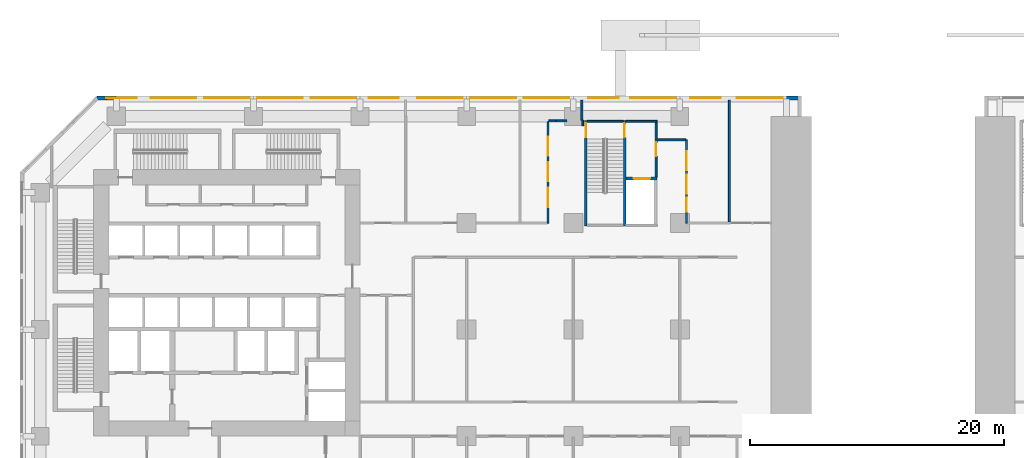
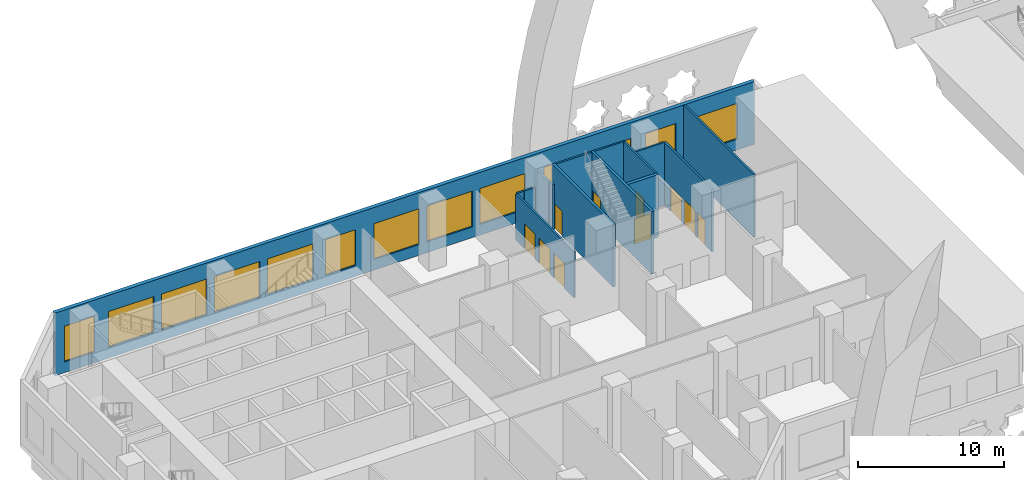
# One storey, part 11 of 19: 15 walls, 13 windows, 10 doors, 23 openings.
"""IFC4 building model written with IfcOpenShell, lengths in metres."""

from ifc_helpers import new_model, si_unit, direction, frame, frame_2d, origin, place, context, subcontext, project, spatial, rectangle, extrude, material, layer, layer_set, type_object, element, fill, save


model = new_model("IFC4")

# Units and contexts
model_context = context("Model", 3, precision=1e-05, world=origin(), true_north=direction((0.0, 1.0)))
body_context = subcontext(model_context, "Body", "Model", "MODEL_VIEW")
ifc_project = project(units=[si_unit("LENGTHUNIT", "METRE"), si_unit("AREAUNIT", "SQUARE_METRE"), si_unit("VOLUMEUNIT", "CUBIC_METRE"), si_unit("PLANEANGLEUNIT", "RADIAN"), si_unit("MASSUNIT", "GRAM", prefix="KILO")], contexts=[model_context])

# Site, building, storey
site_placement = place(None, origin())
site = spatial("IfcSite", under=ifc_project, at=site_placement, CompositionType="ELEMENT")
building_placement = place(site_placement, origin())
building = spatial("IfcBuilding", under=site, at=building_placement, Name="Kawkab Arch Medical Tower", CompositionType="ELEMENT")
storey_placement = place(building_placement, frame((0.0, 0.0, 12.60009765625)))
storey = spatial("IfcBuildingStorey", under=building, at=storey_placement, Name="L03", CompositionType="ELEMENT", Elevation=12.60009765625)

# Wall, opening, door
ifc_material_1 = material(Name="Gypsum board on steel studs", Category="steel")
ifc_layer_1 = layer(ifc_material_1, 0.14990234375)
ifc_layer_set_1 = layer_set([ifc_layer_1], Name="Gypsum board on steel studs")
wall_type_1 = type_object("IfcWallType", Name="Core room partition 150", PredefinedType="PARTITIONING", material=ifc_layer_set_1)
wall_1_placement = place(storey_placement, frame((48.52490234375, -4.77490234375, 0.0), z_axis=(0.0, 0.0, 1.0), x_axis=(0.0, 1.0, 0.0)))
wall_1 = element("IfcWall", 1, at=wall_1_placement, inside=storey, type_object=wall_type_1, Name="L03 core room partition", PredefinedType="PARTITIONING", context=body_context, shape_type="SweptSolid", body=[
    extrude(rectangle(XDim=4.324951171875, YDim=0.14990234375, at=frame_2d((2.16259765625, 0.0))), origin(), (0.0, 0.0, 1.0), 5.25),
])
opening_1_placement = place(wall_1_placement, frame((1.625, 0.0, 0.0)))
opening_1 = element("IfcOpeningElement", 2, at=opening_1_placement, cuts=wall_1, Name="Opening FD", PredefinedType="OPENING", context=body_context, shape_type="SweptSolid", body=[
    extrude(rectangle(XDim=1.10009765625, YDim=2.10009765625, at=frame_2d((0.550048828125, 1.050048828125))), frame((0.0, 0.0849609375, 0.0), z_axis=(0.0, -1.0, 0.0), x_axis=(1.0, 0.0, 0.0)), (0.0, 0.0, 1.0), 0.169921875),
])
ifc_material_2 = material(Name="Hollow metal fire door leaf")
door_type_1 = type_object("IfcDoorType", Name="Firefighting lobby door 1100", OperationType="SINGLE_SWING_LEFT", PredefinedType="DOOR", material=ifc_material_2)
door_1_placement = place(opening_1_placement, origin())
door_1 = element("IfcDoor", 3, at=door_1_placement, inside=storey, type_object=door_type_1, Name="L03 Service lift lobby door SV1", OperationType="SINGLE_SWING_LEFT", OverallHeight=2.10009765625, OverallWidth=1.10009765625, PredefinedType="DOOR", context=body_context, shape_type="SweptSolid", body=[
    extrude(rectangle(XDim=1.10009765625, YDim=2.10009765625, at=frame_2d((0.550048828125, 1.050048828125))), frame((0.0, 0.02490234375, 0.0), z_axis=(0.0, -1.0, 0.0), x_axis=(1.0, 0.0, 0.0)), (0.0, 0.0, 1.0), 0.050048828125),
])
fill(opening_1, door_1)

ifc_material_3 = material(Name="Concrete C60/75", Category="concrete")
ifc_layer_2 = layer(ifc_material_3, 0.25)
ifc_layer_set_2 = layer_set([ifc_layer_2], Name="Concrete C60/75")
wall_type_2 = type_object("IfcWallType", Name="Core shear wall 250 C60/75", PredefinedType="SHEAR", material=ifc_layer_set_2)
wall_2_placement = place(storey_placement, frame((46.14990234375, -4.89990234375, 0.0), z_axis=(0.0, 0.0, 1.0), x_axis=(1.0, 0.0, 0.0)))
wall_2 = element("IfcWall", 4, at=wall_2_placement, inside=storey, type_object=wall_type_2, Name="L03 core shear wall", PredefinedType="SHEAR", context=body_context, shape_type="SweptSolid", body=[
    extrude(rectangle(XDim=2.4501953125, YDim=0.25, at=frame_2d((1.22509765625, 0.0))), origin(), (0.0, 0.0, 1.0), 5.25),
])
opening_2_placement = place(wall_2_placement, frame((0.60009765625, 0.0, 0.0)))
opening_2 = element("IfcOpeningElement", 5, at=opening_2_placement, cuts=wall_2, Name="Opening LD2", PredefinedType="OPENING", context=body_context, shape_type="SweptSolid", body=[
    extrude(rectangle(XDim=1.300048828125, YDim=2.10009765625, at=frame_2d((0.64990234375, 1.050048828125))), frame((0.0, 0.135009765625, 0.0), z_axis=(0.0, -1.0, 0.0), x_axis=(1.0, 0.0, 0.0)), (0.0, 0.0, 1.0), 0.27001953125),
])
ifc_material_4 = material(Name="Stainless steel lift door leaf", Category="steel")
door_type_2 = type_object("IfcDoorType", Name="Lift landing door 1300", OperationType="DOUBLE_DOOR_SLIDING", PredefinedType="DOOR", material=ifc_material_4)
door_2_placement = place(opening_2_placement, origin())
door_2 = element("IfcDoor", 6, at=door_2_placement, inside=storey, type_object=door_type_2, Name="L03 Lift landing door SV1", OperationType="DOUBLE_DOOR_SLIDING", OverallHeight=2.10009765625, OverallWidth=1.300048828125, PredefinedType="DOOR", context=body_context, shape_type="SweptSolid", body=[
    extrude(rectangle(XDim=1.300048828125, YDim=2.10009765625, at=frame_2d((0.64990234375, 1.050048828125))), frame((0.0, 0.02490234375, 0.0), z_axis=(0.0, -1.0, 0.0), x_axis=(1.0, 0.0, 0.0)), (0.0, 0.0, 1.0), 0.050048828125),
])
fill(opening_2, door_2)

# Walls
ifc_material_5 = material(Name="Gypsum board partition on steel studs, mineral wool", Category="steel")
ifc_layer_3 = layer(ifc_material_5, 0.14990234375)
ifc_layer_set_3 = layer_set([ifc_layer_3], Name="Gypsum board partition on steel studs, mineral wool")
wall_type_3 = type_object("IfcWallType", Name="Partition 150", PredefinedType="PARTITIONING", material=ifc_layer_set_3)
wall_3_placement = place(storey_placement, frame((48.60009765625, -1.85009765625, 0.0), z_axis=(0.0, 0.0, 1.0), x_axis=(1.0, 0.0, 0.0)))
element("IfcWall", 7, at=wall_3_placement, inside=storey, type_object=wall_type_3, Name="Partition 150 w043", PredefinedType="PARTITIONING", context=body_context, shape_type="SweptSolid", body=[
    extrude(rectangle(XDim=2.2490234375, YDim=0.14990234375, at=frame_2d((1.12451171875, 0.0))), origin(), (0.0, 0.0, 1.0), 5.25),
])
wall_4_placement = place(storey_placement, frame((40.075927734375, -0.35009765625, 0.0), z_axis=(0.0, 0.0, 1.0), x_axis=(1.0, 0.0, 0.0)))
element("IfcWall", 8, at=wall_4_placement, inside=storey, type_object=wall_type_3, Name="Partition 150 w044", PredefinedType="PARTITIONING", context=body_context, shape_type="SweptSolid", body=[
    extrude(rectangle(XDim=0.524169921875, YDim=0.14990234375, at=frame_2d((0.26220703125, 0.0))), origin(), (0.0, 0.0, 1.0), 3.849853515625),
])
wall_5_placement = place(storey_placement, frame((40.6201171875, -0.35009765625, 0.0), z_axis=(0.0, 0.0, 1.0), x_axis=(1.0, 0.0, 0.0)))
element("IfcWall", 9, at=wall_5_placement, inside=storey, type_object=wall_type_3, Name="Partition 150 w045", PredefinedType="PARTITIONING", context=body_context, shape_type="SweptSolid", body=[
    extrude(rectangle(XDim=0.867919921875, YDim=0.14990234375, at=frame_2d((0.43408203125, 0.0))), origin(), (0.0, 0.0, 1.0), 3.849853515625),
])

# Wall, openings, doors
wall_6_placement = place(storey_placement, frame((40.007080078125, -8.39990234375, 0.0), z_axis=(0.0, 0.0, 1.0), x_axis=(0.0, 1.0, 0.0)))
wall_6 = element("IfcWall", 10, at=wall_6_placement, inside=storey, type_object=wall_type_3, Name="Partition 150 w067", PredefinedType="PARTITIONING", context=body_context, shape_type="SweptSolid", body=[
    extrude(rectangle(XDim=7.974853515625, YDim=0.14990234375, at=frame_2d((3.9873046875, 0.0))), origin(), (0.0, 0.0, 1.0), 3.849853515625),
])
opening_3_placement = place(wall_6_placement, frame((1.261962890625, 0.0, 0.0)))
opening_3 = element("IfcOpeningElement", 11, at=opening_3_placement, cuts=wall_6, Name="Opening P03-003", PredefinedType="OPENING", context=body_context, shape_type="SweptSolid", body=[
    extrude(rectangle(XDim=1.5, YDim=2.10009765625, at=frame_2d((0.75, 1.050048828125))), frame((0.0, 0.0849609375, 0.0), z_axis=(0.0, -1.0, 0.0), x_axis=(1.0, 0.0, 0.0)), (0.0, 0.0, 1.0), 0.169921875),
])
opening_4_placement = place(wall_6_placement, frame((3.27392578125, 0.0, 0.0)))
opening_4 = element("IfcOpeningElement", 12, at=opening_4_placement, cuts=wall_6, Name="Opening P03-004", PredefinedType="OPENING", context=body_context, shape_type="SweptSolid", body=[
    extrude(rectangle(XDim=1.5, YDim=2.10009765625, at=frame_2d((0.75, 1.050048828125))), frame((0.0, 0.0849609375, 0.0), z_axis=(0.0, -1.0, 0.0), x_axis=(1.0, 0.0, 0.0)), (0.0, 0.0, 1.0), 0.169921875),
])
opening_5_placement = place(wall_6_placement, frame((5.285888671875, 0.0, 0.0)))
opening_5 = element("IfcOpeningElement", 13, at=opening_5_placement, cuts=wall_6, Name="Opening P03-005", PredefinedType="OPENING", context=body_context, shape_type="SweptSolid", body=[
    extrude(rectangle(XDim=1.5, YDim=2.10009765625, at=frame_2d((0.75, 1.050048828125))), frame((0.0, 0.0849609375, 0.0), z_axis=(0.0, -1.0, 0.0), x_axis=(1.0, 0.0, 0.0)), (0.0, 0.0, 1.0), 0.169921875),
])
ifc_material_6 = material(Name="Hollow metal door leaf")
door_type_3 = type_object("IfcDoorType", Name="Double door 1500x2100 FD30S", OperationType="NOTDEFINED", PredefinedType="DOOR", material=ifc_material_6)
door_3_placement = place(opening_3_placement, origin())
door_3 = element("IfcDoor", 14, at=door_3_placement, inside=storey, type_object=door_type_3, Name="Door P03-003", OperationType="DOUBLE_DOOR_SINGLE_SWING", OverallHeight=2.10009765625, OverallWidth=1.5, PredefinedType="DOOR", context=body_context, shape_type="SweptSolid", body=[
    extrude(rectangle(XDim=1.5, YDim=2.10009765625, at=frame_2d((0.75, 1.050048828125))), frame((0.0, 0.02490234375, 0.0), z_axis=(0.0, -1.0, 0.0), x_axis=(1.0, 0.0, 0.0)), (0.0, 0.0, 1.0), 0.050048828125),
])
fill(opening_3, door_3)
door_4_placement = place(opening_4_placement, origin())
door_4 = element("IfcDoor", 15, at=door_4_placement, inside=storey, type_object=door_type_3, Name="Door P03-004", OperationType="DOUBLE_DOOR_SINGLE_SWING", OverallHeight=2.10009765625, OverallWidth=1.5, PredefinedType="DOOR", context=body_context, shape_type="SweptSolid", body=[
    extrude(rectangle(XDim=1.5, YDim=2.10009765625, at=frame_2d((0.75, 1.050048828125))), frame((0.0, 0.02490234375, 0.0), z_axis=(0.0, -1.0, 0.0), x_axis=(1.0, 0.0, 0.0)), (0.0, 0.0, 1.0), 0.050048828125),
])
fill(opening_4, door_4)
door_5_placement = place(opening_5_placement, origin())
door_5 = element("IfcDoor", 16, at=door_5_placement, inside=storey, type_object=door_type_3, Name="Door P03-005", OperationType="DOUBLE_DOOR_SINGLE_SWING", OverallHeight=2.10009765625, OverallWidth=1.5, PredefinedType="DOOR", context=body_context, shape_type="SweptSolid", body=[
    extrude(rectangle(XDim=1.5, YDim=2.10009765625, at=frame_2d((0.75, 1.050048828125))), frame((0.0, 0.02490234375, 0.0), z_axis=(0.0, -1.0, 0.0), x_axis=(1.0, 0.0, 0.0)), (0.0, 0.0, 1.0), 0.050048828125),
])
fill(opening_5, door_5)

# Walls
wall_7_placement = place(storey_placement, frame((42.679931640625, -0.300048828125, 0.0), z_axis=(0.0, 0.0, 1.0), x_axis=(0.0, 1.0, 0.0)))
element("IfcWall", 17, at=wall_7_placement, inside=storey, type_object=wall_type_3, Name="Partition 150 w070", PredefinedType="PARTITIONING", context=body_context, shape_type="SweptSolid", body=[
    extrude(rectangle(XDim=1.580078125, YDim=0.14990234375, at=frame_2d((0.7900390625, 0.0))), origin(), (0.0, 0.0, 1.0), 3.849853515625),
])
wall_8_placement = place(storey_placement, frame((42.75, -0.75, 0.0), z_axis=(0.0, 0.0, 1.0), x_axis=(0.0, 1.0, 0.0)))
element("IfcWall", 18, at=wall_8_placement, inside=storey, type_object=wall_type_3, Name="Partition 150 w071", PredefinedType="PARTITIONING", context=body_context, shape_type="SweptSolid", body=[
    extrude(rectangle(XDim=0.449951171875, YDim=0.14990234375, at=frame_2d((0.22509765625, 0.0))), origin(), (0.0, 0.0, 1.0), 3.849853515625),
])

# Wall, openings, doors
wall_9_placement = place(storey_placement, frame((50.925048828125, -8.39990234375, 0.0), z_axis=(0.0, 0.0, 1.0), x_axis=(0.0, 1.0, 0.0)))
wall_9 = element("IfcWall", 19, at=wall_9_placement, inside=storey, type_object=wall_type_3, Name="Partition 150 w074", PredefinedType="PARTITIONING", context=body_context, shape_type="SweptSolid", body=[
    extrude(rectangle(XDim=6.5478515625, YDim=0.14990234375, at=frame_2d((3.27392578125, 0.0))), origin(), (0.0, 0.0, 1.0), 5.25),
])
opening_6_placement = place(wall_9_placement, frame((4.160888671875, 0.0, 0.0)))
opening_6 = element("IfcOpeningElement", 20, at=opening_6_placement, cuts=wall_9, Name="Opening P03-006", PredefinedType="OPENING", context=body_context, shape_type="SweptSolid", body=[
    extrude(rectangle(XDim=1.5, YDim=2.10009765625, at=frame_2d((0.75, 1.050048828125))), frame((0.0, 0.0849609375, 0.0), z_axis=(0.0, -1.0, 0.0), x_axis=(1.0, 0.0, 0.0)), (0.0, 0.0, 1.0), 0.169921875),
])
opening_7_placement = place(wall_9_placement, frame((2.323974609375, 0.0, 0.0)))
opening_7 = element("IfcOpeningElement", 21, at=opening_7_placement, cuts=wall_9, Name="Opening P03-007", PredefinedType="OPENING", context=body_context, shape_type="SweptSolid", body=[
    extrude(rectangle(XDim=1.5, YDim=2.10009765625, at=frame_2d((0.75, 1.050048828125))), frame((0.0, 0.0849609375, 0.0), z_axis=(0.0, -1.0, 0.0), x_axis=(1.0, 0.0, 0.0)), (0.0, 0.0, 1.0), 0.169921875),
])
opening_8_placement = place(wall_9_placement, frame((0.886962890625, 0.0, 0.0)))
opening_8 = element("IfcOpeningElement", 22, at=opening_8_placement, cuts=wall_9, Name="Opening P03-001", PredefinedType="OPENING", context=body_context, shape_type="SweptSolid", body=[
    extrude(rectangle(XDim=1.10009765625, YDim=2.10009765625, at=frame_2d((0.550048828125, 1.050048828125))), frame((0.0, 0.0849609375, 0.0), z_axis=(0.0, -1.0, 0.0), x_axis=(1.0, 0.0, 0.0)), (0.0, 0.0, 1.0), 0.169921875),
])
ifc_material_7 = material(Name="Hollow metal door leaf")
door_type_4 = type_object("IfcDoorType", Name="Double door 1100x2100 FD30S", OperationType="NOTDEFINED", PredefinedType="DOOR", material=ifc_material_7)
door_6_placement = place(opening_8_placement, origin())
door_6 = element("IfcDoor", 23, at=door_6_placement, inside=storey, type_object=door_type_4, Name="Door P03-001", OperationType="DOUBLE_DOOR_SINGLE_SWING", OverallHeight=2.10009765625, OverallWidth=1.10009765625, PredefinedType="DOOR", context=body_context, shape_type="SweptSolid", body=[
    extrude(rectangle(XDim=1.10009765625, YDim=2.10009765625, at=frame_2d((0.550048828125, 1.050048828125))), frame((0.0, 0.02490234375, 0.0), z_axis=(0.0, -1.0, 0.0), x_axis=(1.0, 0.0, 0.0)), (0.0, 0.0, 1.0), 0.050048828125),
])
fill(opening_8, door_6)
door_7_placement = place(opening_6_placement, origin())
door_7 = element("IfcDoor", 24, at=door_7_placement, inside=storey, type_object=door_type_3, Name="Door P03-006", OperationType="DOUBLE_DOOR_SINGLE_SWING", OverallHeight=2.10009765625, OverallWidth=1.5, PredefinedType="DOOR", context=body_context, shape_type="SweptSolid", body=[
    extrude(rectangle(XDim=1.5, YDim=2.10009765625, at=frame_2d((0.75, 1.050048828125))), frame((0.0, 0.02490234375, 0.0), z_axis=(0.0, -1.0, 0.0), x_axis=(1.0, 0.0, 0.0)), (0.0, 0.0, 1.0), 0.050048828125),
])
fill(opening_6, door_7)
door_8_placement = place(opening_7_placement, origin())
door_8 = element("IfcDoor", 25, at=door_8_placement, inside=storey, type_object=door_type_3, Name="Door P03-007", OperationType="DOUBLE_DOOR_SINGLE_SWING", OverallHeight=2.10009765625, OverallWidth=1.5, PredefinedType="DOOR", context=body_context, shape_type="SweptSolid", body=[
    extrude(rectangle(XDim=1.5, YDim=2.10009765625, at=frame_2d((0.75, 1.050048828125))), frame((0.0, 0.02490234375, 0.0), z_axis=(0.0, -1.0, 0.0), x_axis=(1.0, 0.0, 0.0)), (0.0, 0.0, 1.0), 0.050048828125),
])
fill(opening_7, door_8)

# Wall
wall_10_placement = place(storey_placement, frame((54.300048828125, -8.324951171875, 0.0), z_axis=(0.0, 0.0, 1.0), x_axis=(0.0, 1.0, 0.0)))
element("IfcWall", 26, at=wall_10_placement, inside=storey, type_object=wall_type_3, Name="Partition 150 w075", PredefinedType="PARTITIONING", context=body_context, shape_type="SweptSolid", body=[
    extrude(rectangle(XDim=9.60498046875, YDim=0.14990234375, at=frame_2d((4.802490234375, 0.0))), origin(), (0.0, 0.0, 1.0), 5.25),
])

# Wall, openings, windows
ifc_material_8 = material(Name="Bronze clad insulated wall panel")
ifc_layer_4 = layer(ifc_material_8, 0.300048828125)
ifc_layer_set_4 = layer_set([ifc_layer_4], Name="Bronze clad insulated wall panel")
wall_type_4 = type_object("IfcWallType", Name="Podium external wall 300", PredefinedType="SOLIDWALL", material=ifc_layer_set_4)
wall_11_placement = place(storey_placement, frame((59.85009765625, 1.449951171875, 0.0), z_axis=(0.0, 0.0, 1.0), x_axis=(-1.0, 0.0, 0.0)))
wall_11 = element("IfcWall", 27, at=wall_11_placement, inside=storey, type_object=wall_type_4, Name="Podium external wall L03 R05", PredefinedType="SOLIDWALL", context=body_context, shape_type="SweptSolid", body=[
    extrude(rectangle(XDim=55.387939453125, YDim=0.300048828125, at=frame_2d((27.69384765625, 0.0))), origin(), (0.0, 0.0, 1.0), 5.25),
])
opening_9_placement = place(wall_11_placement, frame((1.35009765625, 0.0, 0.89990234375)))
opening_9 = element("IfcOpeningElement", 28, at=opening_9_placement, cuts=wall_11, Name="Opening PBW360-30-S9", PredefinedType="OPENING", context=body_context, shape_type="SweptSolid", body=[
    extrude(rectangle(XDim=3.60009765625, YDim=3.0, at=frame_2d((1.800048828125, 1.5))), frame((0.0, 0.159912109375, 0.0), z_axis=(0.0, -1.0, 0.0), x_axis=(1.0, 0.0, 0.0)), (0.0, 0.0, 1.0), 0.320068359375),
])
opening_10_placement = place(wall_11_placement, frame((6.235107421875, 0.0, 0.89990234375)))
opening_10 = element("IfcOpeningElement", 29, at=opening_10_placement, cuts=wall_11, Name="Opening PBW240-30-S9", PredefinedType="OPENING", context=body_context, shape_type="SweptSolid", body=[
    extrude(rectangle(XDim=2.39990234375, YDim=3.0, at=frame_2d((1.199951171875, 1.5))), frame((0.0, 0.159912109375, 0.0), z_axis=(0.0, -1.0, 0.0), x_axis=(1.0, 0.0, 0.0)), (0.0, 0.0, 1.0), 0.320068359375),
])
opening_11_placement = place(wall_11_placement, frame((9.75, 0.0, 0.89990234375)))
opening_11 = element("IfcOpeningElement", 30, at=opening_11_placement, cuts=wall_11, Name="Opening PBW360-30-S9", PredefinedType="OPENING", context=body_context, shape_type="SweptSolid", body=[
    extrude(rectangle(XDim=3.60009765625, YDim=3.0, at=frame_2d((1.800048828125, 1.5))), frame((0.0, 0.159912109375, 0.0), z_axis=(0.0, -1.0, 0.0), x_axis=(1.0, 0.0, 0.0)), (0.0, 0.0, 1.0), 0.320068359375),
])
opening_12_placement = place(wall_11_placement, frame((14.284912109375, 0.0, 0.89990234375)))
opening_12 = element("IfcOpeningElement", 31, at=opening_12_placement, cuts=wall_11, Name="Opening PBW240-30-S9", PredefinedType="OPENING", context=body_context, shape_type="SweptSolid", body=[
    extrude(rectangle(XDim=2.39990234375, YDim=3.0, at=frame_2d((1.199951171875, 1.5))), frame((0.0, 0.159912109375, 0.0), z_axis=(0.0, -1.0, 0.0), x_axis=(1.0, 0.0, 0.0)), (0.0, 0.0, 1.0), 0.320068359375),
])
opening_13_placement = place(wall_11_placement, frame((18.14990234375, 0.0, 0.89990234375)))
opening_13 = element("IfcOpeningElement", 32, at=opening_13_placement, cuts=wall_11, Name="Opening PBW360-30-S9", PredefinedType="OPENING", context=body_context, shape_type="SweptSolid", body=[
    extrude(rectangle(XDim=3.60009765625, YDim=3.0, at=frame_2d((1.800048828125, 1.5))), frame((0.0, 0.159912109375, 0.0), z_axis=(0.0, -1.0, 0.0), x_axis=(1.0, 0.0, 0.0)), (0.0, 0.0, 1.0), 0.320068359375),
])
opening_14_placement = place(wall_11_placement, frame((22.35009765625, 0.0, 0.89990234375)))
opening_14 = element("IfcOpeningElement", 33, at=opening_14_placement, cuts=wall_11, Name="Opening PBW360-30-S9", PredefinedType="OPENING", context=body_context, shape_type="SweptSolid", body=[
    extrude(rectangle(XDim=3.60009765625, YDim=3.0, at=frame_2d((1.800048828125, 1.5))), frame((0.0, 0.159912109375, 0.0), z_axis=(0.0, -1.0, 0.0), x_axis=(1.0, 0.0, 0.0)), (0.0, 0.0, 1.0), 0.320068359375),
])
opening_15_placement = place(wall_11_placement, frame((26.550048828125, 0.0, 0.89990234375)))
opening_15 = element("IfcOpeningElement", 34, at=opening_15_placement, cuts=wall_11, Name="Opening PBW360-30-S9", PredefinedType="OPENING", context=body_context, shape_type="SweptSolid", body=[
    extrude(rectangle(XDim=3.60009765625, YDim=3.0, at=frame_2d((1.800048828125, 1.5))), frame((0.0, 0.159912109375, 0.0), z_axis=(0.0, -1.0, 0.0), x_axis=(1.0, 0.0, 0.0)), (0.0, 0.0, 1.0), 0.320068359375),
])
opening_16_placement = place(wall_11_placement, frame((31.5849609375, 0.0, 0.89990234375)))
opening_16 = element("IfcOpeningElement", 35, at=opening_16_placement, cuts=wall_11, Name="Opening PBW240-30-S9", PredefinedType="OPENING", context=body_context, shape_type="SweptSolid", body=[
    extrude(rectangle(XDim=2.39990234375, YDim=3.0, at=frame_2d((1.199951171875, 1.5))), frame((0.0, 0.159912109375, 0.0), z_axis=(0.0, -1.0, 0.0), x_axis=(1.0, 0.0, 0.0)), (0.0, 0.0, 1.0), 0.320068359375),
])
opening_17_placement = place(wall_11_placement, frame((34.949951171875, 0.0, 0.89990234375)))
opening_17 = element("IfcOpeningElement", 36, at=opening_17_placement, cuts=wall_11, Name="Opening PBW360-30-S9", PredefinedType="OPENING", context=body_context, shape_type="SweptSolid", body=[
    extrude(rectangle(XDim=3.60009765625, YDim=3.0, at=frame_2d((1.800048828125, 1.5))), frame((0.0, 0.159912109375, 0.0), z_axis=(0.0, -1.0, 0.0), x_axis=(1.0, 0.0, 0.0)), (0.0, 0.0, 1.0), 0.320068359375),
])
opening_18_placement = place(wall_11_placement, frame((39.14990234375, 0.0, 0.89990234375)))
opening_18 = element("IfcOpeningElement", 37, at=opening_18_placement, cuts=wall_11, Name="Opening PBW360-30-S9", PredefinedType="OPENING", context=body_context, shape_type="SweptSolid", body=[
    extrude(rectangle(XDim=3.60009765625, YDim=3.0, at=frame_2d((1.800048828125, 1.5))), frame((0.0, 0.159912109375, 0.0), z_axis=(0.0, -1.0, 0.0), x_axis=(1.0, 0.0, 0.0)), (0.0, 0.0, 1.0), 0.320068359375),
])
opening_19_placement = place(wall_11_placement, frame((43.35009765625, 0.0, 0.89990234375)))
opening_19 = element("IfcOpeningElement", 38, at=opening_19_placement, cuts=wall_11, Name="Opening PBW360-30-S9", PredefinedType="OPENING", context=body_context, shape_type="SweptSolid", body=[
    extrude(rectangle(XDim=3.60009765625, YDim=3.0, at=frame_2d((1.800048828125, 1.5))), frame((0.0, 0.159912109375, 0.0), z_axis=(0.0, -1.0, 0.0), x_axis=(1.0, 0.0, 0.0)), (0.0, 0.0, 1.0), 0.320068359375),
])
opening_20_placement = place(wall_11_placement, frame((47.550048828125, 0.0, 0.89990234375)))
opening_20 = element("IfcOpeningElement", 39, at=opening_20_placement, cuts=wall_11, Name="Opening PBW360-30-S9", PredefinedType="OPENING", context=body_context, shape_type="SweptSolid", body=[
    extrude(rectangle(XDim=3.60009765625, YDim=3.0, at=frame_2d((1.800048828125, 1.5))), frame((0.0, 0.159912109375, 0.0), z_axis=(0.0, -1.0, 0.0), x_axis=(1.0, 0.0, 0.0)), (0.0, 0.0, 1.0), 0.320068359375),
])
opening_21_placement = place(wall_11_placement, frame((52.25, 0.0, 0.89990234375)))
opening_21 = element("IfcOpeningElement", 40, at=opening_21_placement, cuts=wall_11, Name="Opening PBW240-30-S9", PredefinedType="OPENING", context=body_context, shape_type="SweptSolid", body=[
    extrude(rectangle(XDim=2.39990234375, YDim=3.0, at=frame_2d((1.199951171875, 1.5))), frame((0.0, 0.159912109375, 0.0), z_axis=(0.0, -1.0, 0.0), x_axis=(1.0, 0.0, 0.0)), (0.0, 0.0, 1.0), 0.320068359375),
])
ifc_material_9 = material(Name="Bronze anodised aluminium louvred window", Category="aluminium")
window_type_1 = type_object("IfcWindowType", Name="Podium band window 2400 x 3000 sill 900", PartitioningType="DOUBLE_PANEL_VERTICAL", PredefinedType="WINDOW", material=ifc_material_9)
window_1_placement = place(opening_10_placement, origin())
window_1 = element("IfcWindow", 41, at=window_1_placement, inside=storey, type_object=window_type_1, Name="Band window L03 R05.2", OverallHeight=3.0, OverallWidth=2.39990234375, PartitioningType="SINGLE_PANEL", PredefinedType="WINDOW", context=body_context, shape_type="SweptSolid", body=[
    extrude(rectangle(XDim=2.39990234375, YDim=3.0, at=frame_2d((1.199951171875, 1.5))), frame((0.0, 0.030029296875, 0.0), z_axis=(0.0, -1.0, 0.0), x_axis=(1.0, 0.0, 0.0)), (0.0, 0.0, 1.0), 0.06005859375),
])
fill(opening_10, window_1)
window_2_placement = place(opening_12_placement, origin())
window_2 = element("IfcWindow", 42, at=window_2_placement, inside=storey, type_object=window_type_1, Name="Band window L03 R05.4", OverallHeight=3.0, OverallWidth=2.39990234375, PartitioningType="SINGLE_PANEL", PredefinedType="WINDOW", context=body_context, shape_type="SweptSolid", body=[
    extrude(rectangle(XDim=2.39990234375, YDim=3.0, at=frame_2d((1.199951171875, 1.5))), frame((0.0, 0.030029296875, 0.0), z_axis=(0.0, -1.0, 0.0), x_axis=(1.0, 0.0, 0.0)), (0.0, 0.0, 1.0), 0.06005859375),
])
fill(opening_12, window_2)
window_3_placement = place(opening_16_placement, origin())
window_3 = element("IfcWindow", 43, at=window_3_placement, inside=storey, type_object=window_type_1, Name="Band window L03 R05.8", OverallHeight=3.0, OverallWidth=2.39990234375, PartitioningType="SINGLE_PANEL", PredefinedType="WINDOW", context=body_context, shape_type="SweptSolid", body=[
    extrude(rectangle(XDim=2.39990234375, YDim=3.0, at=frame_2d((1.199951171875, 1.5))), frame((0.0, 0.030029296875, 0.0), z_axis=(0.0, -1.0, 0.0), x_axis=(1.0, 0.0, 0.0)), (0.0, 0.0, 1.0), 0.06005859375),
])
fill(opening_16, window_3)
window_4_placement = place(opening_21_placement, origin())
window_4 = element("IfcWindow", 44, at=window_4_placement, inside=storey, type_object=window_type_1, Name="Band window L03 R05.13", OverallHeight=3.0, OverallWidth=2.39990234375, PartitioningType="SINGLE_PANEL", PredefinedType="WINDOW", context=body_context, shape_type="SweptSolid", body=[
    extrude(rectangle(XDim=2.39990234375, YDim=3.0, at=frame_2d((1.199951171875, 1.5))), frame((0.0, 0.030029296875, 0.0), z_axis=(0.0, -1.0, 0.0), x_axis=(1.0, 0.0, 0.0)), (0.0, 0.0, 1.0), 0.06005859375),
])
fill(opening_21, window_4)
ifc_material_10 = material(Name="Bronze anodised aluminium louvred window", Category="aluminium")
window_type_2 = type_object("IfcWindowType", Name="Podium band window 3600 x 3000 sill 900", PartitioningType="DOUBLE_PANEL_VERTICAL", PredefinedType="WINDOW", material=ifc_material_10)
window_5_placement = place(opening_9_placement, origin())
window_5 = element("IfcWindow", 45, at=window_5_placement, inside=storey, type_object=window_type_2, Name="Band window L03 R05.1", OverallHeight=3.0, OverallWidth=3.60009765625, PartitioningType="SINGLE_PANEL", PredefinedType="WINDOW", context=body_context, shape_type="SweptSolid", body=[
    extrude(rectangle(XDim=3.60009765625, YDim=3.0, at=frame_2d((1.800048828125, 1.5))), frame((0.0, 0.030029296875, 0.0), z_axis=(0.0, -1.0, 0.0), x_axis=(1.0, 0.0, 0.0)), (0.0, 0.0, 1.0), 0.06005859375),
])
fill(opening_9, window_5)
window_6_placement = place(opening_11_placement, origin())
window_6 = element("IfcWindow", 46, at=window_6_placement, inside=storey, type_object=window_type_2, Name="Band window L03 R05.3", OverallHeight=3.0, OverallWidth=3.60009765625, PartitioningType="SINGLE_PANEL", PredefinedType="WINDOW", context=body_context, shape_type="SweptSolid", body=[
    extrude(rectangle(XDim=3.60009765625, YDim=3.0, at=frame_2d((1.800048828125, 1.5))), frame((0.0, 0.030029296875, 0.0), z_axis=(0.0, -1.0, 0.0), x_axis=(1.0, 0.0, 0.0)), (0.0, 0.0, 1.0), 0.06005859375),
])
fill(opening_11, window_6)
window_7_placement = place(opening_13_placement, origin())
window_7 = element("IfcWindow", 47, at=window_7_placement, inside=storey, type_object=window_type_2, Name="Band window L03 R05.5", OverallHeight=3.0, OverallWidth=3.60009765625, PartitioningType="SINGLE_PANEL", PredefinedType="WINDOW", context=body_context, shape_type="SweptSolid", body=[
    extrude(rectangle(XDim=3.60009765625, YDim=3.0, at=frame_2d((1.800048828125, 1.5))), frame((0.0, 0.030029296875, 0.0), z_axis=(0.0, -1.0, 0.0), x_axis=(1.0, 0.0, 0.0)), (0.0, 0.0, 1.0), 0.06005859375),
])
fill(opening_13, window_7)
window_8_placement = place(opening_14_placement, origin())
window_8 = element("IfcWindow", 48, at=window_8_placement, inside=storey, type_object=window_type_2, Name="Band window L03 R05.6", OverallHeight=3.0, OverallWidth=3.60009765625, PartitioningType="SINGLE_PANEL", PredefinedType="WINDOW", context=body_context, shape_type="SweptSolid", body=[
    extrude(rectangle(XDim=3.60009765625, YDim=3.0, at=frame_2d((1.800048828125, 1.5))), frame((0.0, 0.030029296875, 0.0), z_axis=(0.0, -1.0, 0.0), x_axis=(1.0, 0.0, 0.0)), (0.0, 0.0, 1.0), 0.06005859375),
])
fill(opening_14, window_8)
window_9_placement = place(opening_15_placement, origin())
window_9 = element("IfcWindow", 49, at=window_9_placement, inside=storey, type_object=window_type_2, Name="Band window L03 R05.7", OverallHeight=3.0, OverallWidth=3.60009765625, PartitioningType="SINGLE_PANEL", PredefinedType="WINDOW", context=body_context, shape_type="SweptSolid", body=[
    extrude(rectangle(XDim=3.60009765625, YDim=3.0, at=frame_2d((1.800048828125, 1.5))), frame((0.0, 0.030029296875, 0.0), z_axis=(0.0, -1.0, 0.0), x_axis=(1.0, 0.0, 0.0)), (0.0, 0.0, 1.0), 0.06005859375),
])
fill(opening_15, window_9)
window_10_placement = place(opening_17_placement, origin())
window_10 = element("IfcWindow", 50, at=window_10_placement, inside=storey, type_object=window_type_2, Name="Band window L03 R05.9", OverallHeight=3.0, OverallWidth=3.60009765625, PartitioningType="SINGLE_PANEL", PredefinedType="WINDOW", context=body_context, shape_type="SweptSolid", body=[
    extrude(rectangle(XDim=3.60009765625, YDim=3.0, at=frame_2d((1.800048828125, 1.5))), frame((0.0, 0.030029296875, 0.0), z_axis=(0.0, -1.0, 0.0), x_axis=(1.0, 0.0, 0.0)), (0.0, 0.0, 1.0), 0.06005859375),
])
fill(opening_17, window_10)
window_11_placement = place(opening_18_placement, origin())
window_11 = element("IfcWindow", 51, at=window_11_placement, inside=storey, type_object=window_type_2, Name="Band window L03 R05.10", OverallHeight=3.0, OverallWidth=3.60009765625, PartitioningType="SINGLE_PANEL", PredefinedType="WINDOW", context=body_context, shape_type="SweptSolid", body=[
    extrude(rectangle(XDim=3.60009765625, YDim=3.0, at=frame_2d((1.800048828125, 1.5))), frame((0.0, 0.030029296875, 0.0), z_axis=(0.0, -1.0, 0.0), x_axis=(1.0, 0.0, 0.0)), (0.0, 0.0, 1.0), 0.06005859375),
])
fill(opening_18, window_11)
window_12_placement = place(opening_19_placement, origin())
window_12 = element("IfcWindow", 52, at=window_12_placement, inside=storey, type_object=window_type_2, Name="Band window L03 R05.11", OverallHeight=3.0, OverallWidth=3.60009765625, PartitioningType="SINGLE_PANEL", PredefinedType="WINDOW", context=body_context, shape_type="SweptSolid", body=[
    extrude(rectangle(XDim=3.60009765625, YDim=3.0, at=frame_2d((1.800048828125, 1.5))), frame((0.0, 0.030029296875, 0.0), z_axis=(0.0, -1.0, 0.0), x_axis=(1.0, 0.0, 0.0)), (0.0, 0.0, 1.0), 0.06005859375),
])
fill(opening_19, window_12)
window_13_placement = place(opening_20_placement, origin())
window_13 = element("IfcWindow", 53, at=window_13_placement, inside=storey, type_object=window_type_2, Name="Band window L03 R05.12", OverallHeight=3.0, OverallWidth=3.60009765625, PartitioningType="SINGLE_PANEL", PredefinedType="WINDOW", context=body_context, shape_type="SweptSolid", body=[
    extrude(rectangle(XDim=3.60009765625, YDim=3.0, at=frame_2d((1.800048828125, 1.5))), frame((0.0, 0.030029296875, 0.0), z_axis=(0.0, -1.0, 0.0), x_axis=(1.0, 0.0, 0.0)), (0.0, 0.0, 1.0), 0.06005859375),
])
fill(opening_20, window_13)

# Walls
ifc_material_11 = material(Name="Concrete C50/60", Category="concrete")
ifc_layer_5 = layer(ifc_material_11, 0.14990234375)
ifc_layer_set_5 = layer_set([ifc_layer_5], Name="Concrete C50/60")
wall_type_5 = type_object("IfcWallType", Name="Stair enclosure wall 150 C50/60", PredefinedType="SHEAR", material=ifc_layer_set_5)
wall_12_placement = place(storey_placement, frame((43.10009765625, -0.375, 0.0), z_axis=(0.0, 0.0, 1.0), x_axis=(1.0, 0.0, 0.0)))
element("IfcWall", 54, at=wall_12_placement, inside=storey, type_object=wall_type_5, Name="L03 stair enclosure wall", PredefinedType="SHEAR", context=body_context, shape_type="SweptSolid", body=[
    extrude(rectangle(XDim=2.849853515625, YDim=0.14990234375, at=frame_2d((1.4248046875, 0.0))), origin(), (0.0, 0.0, 1.0), 5.25),
])
wall_13_placement = place(storey_placement, frame((46.14990234375, -0.375, 0.0), z_axis=(0.0, 0.0, 1.0), x_axis=(1.0, 0.0, 0.0)))
element("IfcWall", 55, at=wall_13_placement, inside=storey, type_object=wall_type_5, Name="L03 stair enclosure wall", PredefinedType="SHEAR", context=body_context, shape_type="SweptSolid", body=[
    extrude(rectangle(XDim=2.4501953125, YDim=0.14990234375, at=frame_2d((1.22509765625, 0.0))), origin(), (0.0, 0.0, 1.0), 5.25),
])

# Wall, opening, door
ifc_material_12 = material(Name="Concrete C50/60", Category="concrete")
ifc_layer_6 = layer(ifc_material_12, 0.199951171875)
ifc_layer_set_6 = layer_set([ifc_layer_6], Name="Concrete C50/60")
wall_type_6 = type_object("IfcWallType", Name="Stair enclosure wall 200 C50/60", PredefinedType="SHEAR", material=ifc_layer_set_6)
wall_14_placement = place(storey_placement, frame((43.0, -8.64990234375, 0.0), z_axis=(0.0, 0.0, 1.0), x_axis=(0.0, 1.0, 0.0)))
wall_14 = element("IfcWall", 56, at=wall_14_placement, inside=storey, type_object=wall_type_6, Name="L03 stair enclosure wall", PredefinedType="SHEAR", context=body_context, shape_type="SweptSolid", body=[
    extrude(rectangle(XDim=8.349853515625, YDim=0.199951171875, at=frame_2d((4.1748046875, 0.0))), origin(), (0.0, 0.0, 1.0), 5.25),
])
opening_22_placement = place(wall_14_placement, frame((7.0, 0.0, 0.0)))
opening_22 = element("IfcOpeningElement", 57, at=opening_22_placement, cuts=wall_14, Name="Opening SD", PredefinedType="OPENING", context=body_context, shape_type="SweptSolid", body=[
    extrude(rectangle(XDim=1.10009765625, YDim=2.10009765625, at=frame_2d((0.550048828125, 1.050048828125))), frame((0.0, 0.10986328125, 0.0), z_axis=(0.0, -1.0, 0.0), x_axis=(1.0, 0.0, 0.0)), (0.0, 0.0, 1.0), 0.219970703125),
])
ifc_material_13 = material(Name="Hollow metal fire door leaf")
door_type_5 = type_object("IfcDoorType", Name="Exit stair door 1100", OperationType="SINGLE_SWING_LEFT", PredefinedType="DOOR", material=ifc_material_13)
door_9_placement = place(opening_22_placement, frame((1.10009765625, 0.0, 0.0), z_axis=(0.0, 0.0, 1.0), x_axis=(-1.0, 0.0, 0.0)))
door_9 = element("IfcDoor", 58, at=door_9_placement, inside=storey, type_object=door_type_5, Name="L03 Exit stair ST5 door", OperationType="SINGLE_SWING_LEFT", OverallHeight=2.10009765625, OverallWidth=1.10009765625, PredefinedType="DOOR", context=body_context, shape_type="SweptSolid", body=[
    extrude(rectangle(XDim=1.10009765625, YDim=2.10009765625, at=frame_2d((0.550048828125, 1.050048828125))), frame((0.0, 0.02490234375, 0.0), z_axis=(0.0, -1.0, 0.0), x_axis=(1.0, 0.0, 0.0)), (0.0, 0.0, 1.0), 0.050048828125),
])
fill(opening_22, door_9)

wall_15_placement = place(storey_placement, frame((46.050048828125, -8.64990234375, 0.0), z_axis=(0.0, 0.0, 1.0), x_axis=(0.0, 1.0, 0.0)))
wall_15 = element("IfcWall", 59, at=wall_15_placement, inside=storey, type_object=wall_type_6, Name="L03 stair enclosure wall", PredefinedType="SHEAR", context=body_context, shape_type="SweptSolid", body=[
    extrude(rectangle(XDim=8.349853515625, YDim=0.199951171875, at=frame_2d((4.1748046875, 0.0))), origin(), (0.0, 0.0, 1.0), 5.25),
])
opening_23_placement = place(wall_15_placement, frame((7.0, 0.0, 0.0)))
opening_23 = element("IfcOpeningElement", 60, at=opening_23_placement, cuts=wall_15, Name="Opening SD", PredefinedType="OPENING", context=body_context, shape_type="SweptSolid", body=[
    extrude(rectangle(XDim=1.10009765625, YDim=2.10009765625, at=frame_2d((0.550048828125, 1.050048828125))), frame((0.0, 0.10986328125, 0.0), z_axis=(0.0, -1.0, 0.0), x_axis=(1.0, 0.0, 0.0)), (0.0, 0.0, 1.0), 0.219970703125),
])
door_10_placement = place(opening_23_placement, origin())
door_10 = element("IfcDoor", 61, at=door_10_placement, inside=storey, type_object=door_type_5, Name="L03 Exit stair ST5 lobby door", OperationType="SINGLE_SWING_LEFT", OverallHeight=2.10009765625, OverallWidth=1.10009765625, PredefinedType="DOOR", context=body_context, shape_type="SweptSolid", body=[
    extrude(rectangle(XDim=1.10009765625, YDim=2.10009765625, at=frame_2d((0.550048828125, 1.050048828125))), frame((0.0, 0.02490234375, 0.0), z_axis=(0.0, -1.0, 0.0), x_axis=(1.0, 0.0, 0.0)), (0.0, 0.0, 1.0), 0.050048828125),
])
fill(opening_23, door_10)

save(model, "model.ifc")
